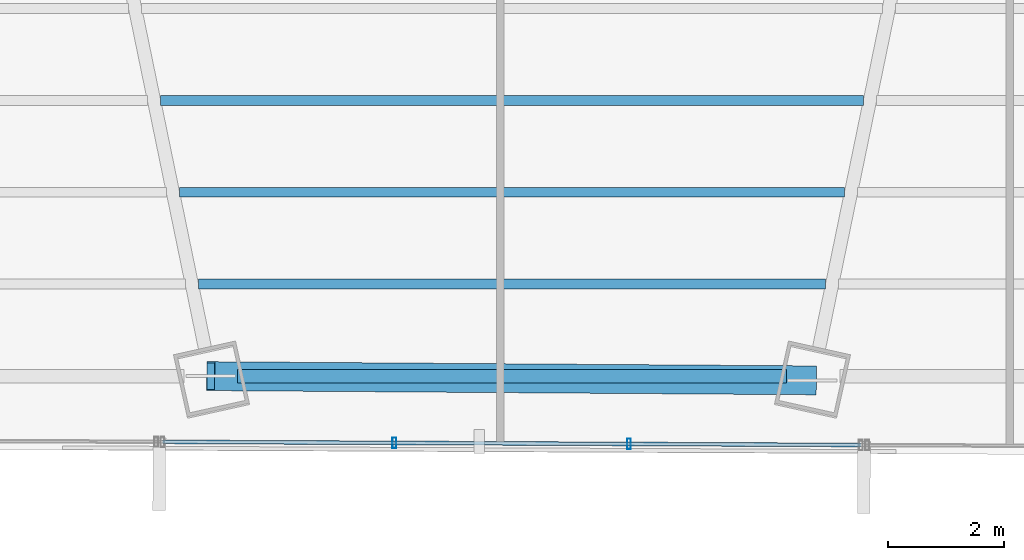
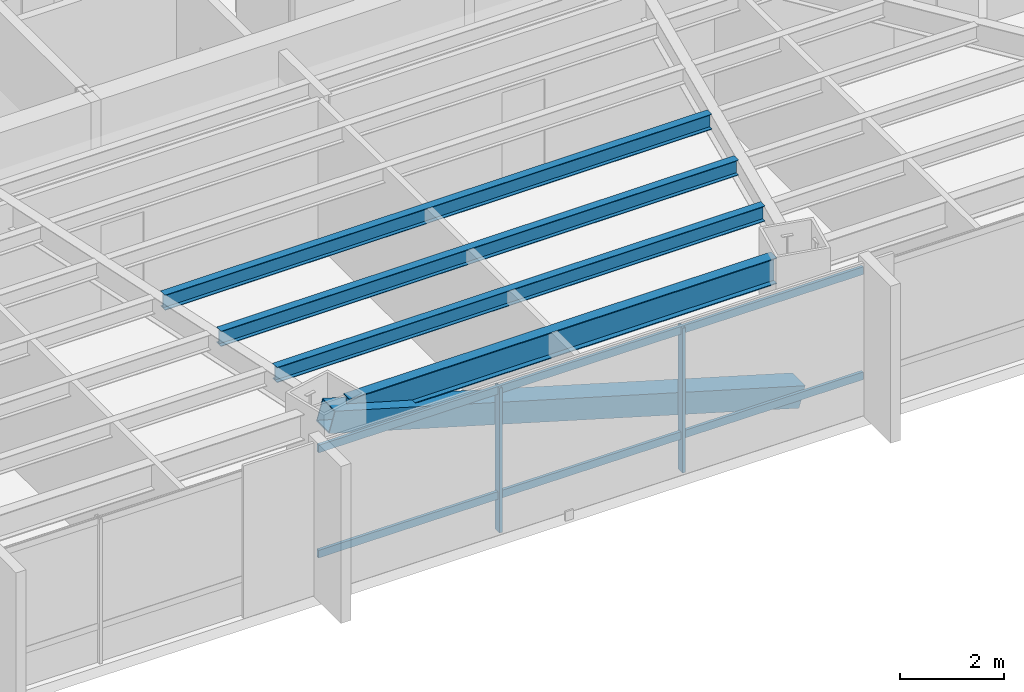
# One storey, part 10 of 35: 5 members, 4 beams, 1 element without a shape of its own.
"""IFC4 building model written with IfcOpenShell, lengths in metres."""

from ifc_helpers import new_model, si_unit, direction, frame, origin, origin_2d, place, context, subcontext, project, spatial, hollow_rectangle, i_section, extrude, source, transform, mapped, material, material_profile, profile_set, type_object, type_shapes, element, aggregate, save


model = new_model("IFC4")

# Units and contexts
model_context = context("Model", 3, precision=1e-05, world=origin(), true_north=direction((0.0, 1.0)))
body_context = subcontext(model_context, "Body", "Model", "MODEL_VIEW")
ifc_project = project(units=[si_unit("LENGTHUNIT", "METRE"), si_unit("AREAUNIT", "SQUARE_METRE"), si_unit("VOLUMEUNIT", "CUBIC_METRE"), si_unit("PLANEANGLEUNIT", "RADIAN"), si_unit("MASSUNIT", "GRAM", prefix="KILO")], contexts=[model_context])

# Site, building, storey
site_placement = place(None, origin())
site = spatial("IfcSite", under=ifc_project, at=site_placement, CompositionType="ELEMENT")
building_placement = place(site_placement, origin())
building = spatial("IfcBuilding", under=site, at=building_placement, Name="Caelisora Broadcast Tower", CompositionType="ELEMENT")
storey_placement = place(building_placement, frame((0.0, 0.0, 98.10009765625)))
storey = spatial("IfcBuildingStorey", under=building, at=storey_placement, Name="L25", CompositionType="ELEMENT", Elevation=98.10009765625)

# Beams
ifc_material_1 = material(Name="Steel Grade 350 (AS/NZS 3679.1)", Category="steel")
ifc_material_profile_1 = material_profile(ifc_material_1, i_section(OverallWidth=0.22900390625, OverallDepth=0.611572265625, WebThickness=0.011962890625, FlangeThickness=0.01953125, at=origin_2d()), Name="Steel Grade 350 (AS/NZS 3679.1)")
ifc_profile_set_1 = profile_set([ifc_material_profile_1], Name="Steel Grade 350 (AS/NZS 3679.1)")
beam_type_1 = type_object("IfcBeamType", Name="PG03", PredefinedType="BEAM", material=ifc_profile_set_1)
shared_shape_1 = source(origin(), body_context, "Body", "SweptSolid", [
    extrude(i_section(OverallWidth=0.22900390625, OverallDepth=0.611572265625, WebThickness=0.011962890625, FlangeThickness=0.01953125, at=origin_2d()), origin(), (0.0, 0.0, 1.0), 9.50048828125),
])
type_shapes(beam_type_1, [shared_shape_1])
beam_1_placement = place(storey_placement, frame((33.249755859375, 6.268798828125, 3.093994140625), z_axis=(1.0, 0.0, 0.0), x_axis=(0.0, 1.0, 0.0)))
element("IfcBeam", 1, at=beam_1_placement, inside=storey, type_object=beam_type_1, Name="L25 beam PG03", PredefinedType="BEAM", context=body_context, shape_type="MappedRepresentation", body=[
    mapped(shared_shape_1, transform((0.0, 0.0, 0.0), scale=1.0)),
])
ifc_material_profile_2 = material_profile(ifc_material_1, i_section(OverallWidth=0.172119140625, OverallDepth=0.358642578125, WebThickness=0.008056640625, FlangeThickness=0.012939453125, at=origin_2d()), Name="Steel Grade 350 (AS/NZS 3679.1)")
ifc_profile_set_2 = profile_set([ifc_material_profile_2], Name="Steel Grade 350 (AS/NZS 3679.1)")
beam_type_2 = type_object("IfcBeamType", Name="SB02", PredefinedType="JOIST", material=ifc_profile_set_2)
shared_shape_2 = source(origin(), body_context, "Body", "SweptSolid", [
    extrude(i_section(OverallWidth=0.172119140625, OverallDepth=0.358642578125, WebThickness=0.008056640625, FlangeThickness=0.012939453125, at=origin_2d()), origin(), (0.0, 0.0, 1.0), 12.15625),
])
beam_2_placement = place(storey_placement, frame((31.921875, 11.039306640625, 3.220703125), z_axis=(1.0, 0.0, 0.0), x_axis=(0.0, 1.0, 0.0)))
element("IfcBeam", 2, at=beam_2_placement, inside=storey, type_object=beam_type_2, Name="L25 beam SB02", PredefinedType="JOIST", context=body_context, shape_type="MappedRepresentation", body=[
    mapped(shared_shape_2, transform((0.0, 0.0, 0.0), scale=1.0)),
])
shared_shape_3 = source(origin(), body_context, "Body", "SweptSolid", [
    extrude(i_section(OverallWidth=0.172119140625, OverallDepth=0.358642578125, WebThickness=0.008056640625, FlangeThickness=0.012939453125, at=origin_2d()), origin(), (0.0, 0.0, 1.0), 11.50244140625),
])
beam_3_placement = place(storey_placement, frame((32.248779296875, 9.44921875, 3.220703125), z_axis=(1.0, 0.0, 0.0), x_axis=(0.0, 1.0, 0.0)))
element("IfcBeam", 3, at=beam_3_placement, inside=storey, type_object=beam_type_2, Name="L25 beam SB02", PredefinedType="JOIST", context=body_context, shape_type="MappedRepresentation", body=[
    mapped(shared_shape_3, transform((0.0, 0.0, 0.0), scale=1.0)),
])
shared_shape_4 = source(origin(), body_context, "Body", "SweptSolid", [
    extrude(i_section(OverallWidth=0.172119140625, OverallDepth=0.358642578125, WebThickness=0.008056640625, FlangeThickness=0.012939453125, at=origin_2d()), origin(), (0.0, 0.0, 1.0), 10.84814453125),
])
type_shapes(beam_type_2, [shared_shape_2, shared_shape_3, shared_shape_4])
beam_4_placement = place(storey_placement, frame((32.575927734375, 7.85888671875, 3.220703125), z_axis=(1.0, 0.0, 0.0), x_axis=(0.0, 1.0, 0.0)))
element("IfcBeam", 4, at=beam_4_placement, inside=storey, type_object=beam_type_2, Name="L25 beam SB02", PredefinedType="JOIST", context=body_context, shape_type="MappedRepresentation", body=[
    mapped(shared_shape_4, transform((0.0, 0.0, 0.0), scale=1.0)),
])

# Member
ifc_material_2 = material(Name="Steel Grade 450 L15 (AS/NZS 3678)", Category="steel")
ifc_material_profile_3 = material_profile(ifc_material_2, hollow_rectangle(XDim=0.5, YDim=0.5, WallThickness=0.02001953125, at=origin_2d()), Name="Steel Grade 450 L15 (AS/NZS 3678)")
ifc_profile_set_3 = profile_set([ifc_material_profile_3], Name="Steel Grade 450 L15 (AS/NZS 3678)")
member_type_1 = type_object("IfcMemberType", Name="BR02", PredefinedType="BRACE", material=ifc_profile_set_3)
shared_shape_5 = source(origin(), body_context, "Body", "SweptSolid", [
    extrude(hollow_rectangle(XDim=0.5, YDim=0.5, WallThickness=0.02001953125, at=origin_2d()), origin(), (0.0, 0.0, 1.0), 10.828369140625),
])
type_shapes(member_type_1, [shared_shape_5])
member_1_placement = place(storey_placement, frame((32.789794921875, 6.268798828125, 3.099853515625), z_axis=(0.960832526113, -0.006696246956, -0.277048762927), x_axis=(0.0069690442, 0.999975715917, 0.0)))
element("IfcMember", 5, at=member_1_placement, inside=storey, type_object=member_type_1, Name="L25 perimeter brace BR02", PredefinedType="BRACE", context=body_context, shape_type="MappedRepresentation", body=[
    mapped(shared_shape_5, transform((0.0, 0.0, 0.0), scale=1.0)),
])

# Curtain wall, members
ifc_material_3 = material(Name="Unitised Aluminium Insulated Shadow-Box Spandrel Curtain Wall", Category="aluminium")
curtain_wall_type = type_object("IfcCurtainWallType", Name="CW-SP1", PredefinedType="NOTDEFINED", material=ifc_material_3)
curtain_wall_placement = place(storey_placement, origin())
curtain_wall = element("IfcCurtainWall", 6, at=curtain_wall_placement, inside=storey, type_object=curtain_wall_type, Name="L25 curtain wall CW-SP1", PredefinedType="NOTDEFINED")
ifc_material_4 = material(Name="Aluminium 6063-T6 Anodised Terracotta Bronze", Category="aluminium")
ifc_material_profile_4 = material_profile(ifc_material_4, hollow_rectangle(XDim=0.06494140625, YDim=0.179931640625, WallThickness=0.00341796875, at=origin_2d()), Name="Aluminium 6063-T6 Anodised Terracotta Bronze")
ifc_profile_set_4 = profile_set([ifc_material_profile_4], Name="Aluminium 6063-T6 Anodised Terracotta Bronze")
member_type_2 = type_object("IfcMemberType", Name="CWM-02", PredefinedType="MULLION", material=ifc_profile_set_4)
shared_shape_6 = source(origin(), body_context, "Body", "SweptSolid", [
    extrude(hollow_rectangle(XDim=0.06494140625, YDim=0.179931640625, WallThickness=0.00341796875, at=origin_2d()), origin(), (0.0, 0.0, 1.0), 3.39990234375),
])
type_shapes(member_type_2, [shared_shape_6])
member_2_placement = place(storey_placement, frame((40.024658203125, 5.09619140625, 0.0), z_axis=(0.0, 0.0, 1.0), x_axis=(1.0, 0.0, 0.0)))
member_2 = element("IfcMember", 7, at=member_2_placement, type_object=member_type_2, Name="L25-CW-B06 mullion #1", PredefinedType="MULLION", context=body_context, shape_type="MappedRepresentation", body=[
    mapped(shared_shape_6, transform((0.0, 0.0, 0.0), scale=1.0)),
])
member_3_placement = place(storey_placement, frame((35.96533203125, 5.11474609375, 0.0), z_axis=(0.0, 0.0, 1.0), x_axis=(1.0, 0.0, 0.0)))
member_3 = element("IfcMember", 8, at=member_3_placement, type_object=member_type_2, Name="L25-CW-B06 mullion #2", PredefinedType="MULLION", context=body_context, shape_type="MappedRepresentation", body=[
    mapped(shared_shape_6, transform((0.0, 0.0, 0.0), scale=1.0)),
])
ifc_material_profile_5 = material_profile(ifc_material_4, hollow_rectangle(XDim=0.06494140625, YDim=0.179931640625, WallThickness=0.00341796875, at=origin_2d()), Name="Aluminium 6063-T6 Anodised Terracotta Bronze")
ifc_profile_set_5 = profile_set([ifc_material_profile_5], Name="Aluminium 6063-T6 Anodised Terracotta Bronze")
member_type_3 = type_object("IfcMemberType", Name="CWT-01", PredefinedType="USERDEFINED", material=ifc_profile_set_5)
shared_shape_7 = source(origin(), body_context, "Body", "SweptSolid", [
    extrude(hollow_rectangle(XDim=0.06494140625, YDim=0.179931640625, WallThickness=0.00341796875, at=origin_2d()), origin(), (0.0, 0.0, 1.0), 12.078125),
])
type_shapes(member_type_3, [shared_shape_7])
member_4_placement = place(storey_placement, frame((44.033935546875, 5.077880859375, 0.849853515625), z_axis=(-0.99998956533, 0.004568285294, 0.0), x_axis=(-0.004568285294, -0.99998956533, 0.0)))
member_4 = element("IfcMember", 9, at=member_4_placement, type_object=member_type_3, Name="L25-CW-B06 transom #1", ObjectType="TRANSOM", PredefinedType="USERDEFINED", context=body_context, shape_type="MappedRepresentation", body=[
    mapped(shared_shape_7, transform((0.0, 0.0, 0.0), scale=1.0)),
])
member_5_placement = place(storey_placement, frame((44.033935546875, 5.077880859375, 3.31982421875), z_axis=(-0.99998956533, 0.004568285294, 0.0), x_axis=(-0.004568285294, -0.99998956533, 0.0)))
member_5 = element("IfcMember", 10, at=member_5_placement, type_object=member_type_3, Name="L25-CW-B06 transom #2", ObjectType="TRANSOM", PredefinedType="USERDEFINED", context=body_context, shape_type="MappedRepresentation", body=[
    mapped(shared_shape_7, transform((0.0, 0.0, 0.0), scale=1.0)),
])
aggregate(curtain_wall, [member_2, member_3, member_4, member_5])

save(model, "model.ifc")
